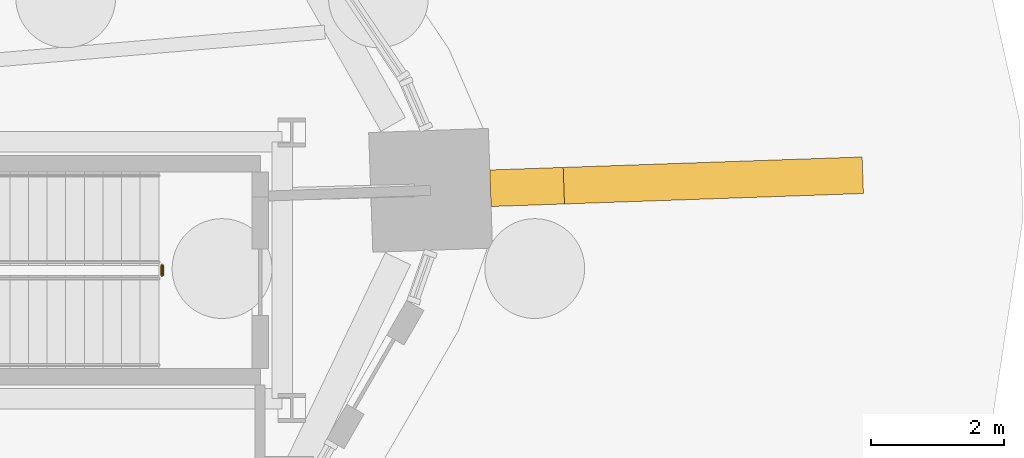
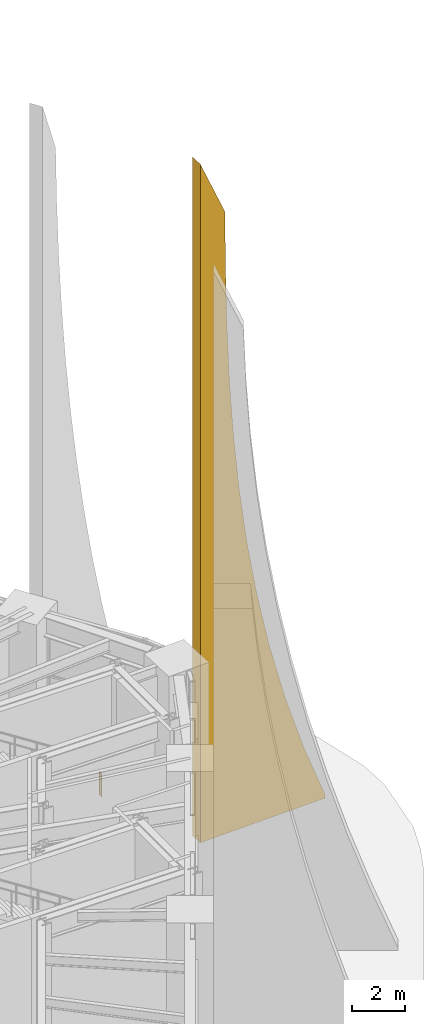
# One storey, part 41 of 43: 1 railing, 1 shading device.
"""IFC4 building model written with IfcOpenShell, lengths in metres."""

import ifcopenshell
import ifcopenshell.guid

model = None  # the IFC model being written
_history = None  # IfcOwnerHistory: only IFC2X3 demands one
_inside = {}  # id of a spatial element -> (the spatial element, [elements in it])
_under = {}  # id of a project, library or spatial element -> (it, [spatial elements below it])
_declared = {}  # id of a project -> (the project, [libraries it declares])
_typed = {}  # id of a type object -> (the type object, [elements of that type])
_made_of = {}  # id of a material, layer set ... -> (it, [elements and type objects made of it])


def new_model(schema):
    """Start an empty IFC model of exactly this schema.

    Asked for "IFC4X3", IfcOpenShell would pick the latest addendum, in which some entities
    have other attributes; the version numbers below select the first issue.
    IFC2X3 requires an IfcOwnerHistory on every rooted entity: one is made here for all.
    """
    global model, _history
    if schema == "IFC4X3":
        model = ifcopenshell.file(schema_version=(4, 3, 0, 0))
    else:
        model = ifcopenshell.file(schema=schema)
    _inside.clear()
    _under.clear()
    _declared.clear()
    _typed.clear()
    _made_of.clear()
    _history = None
    if model.schema == "IFC2X3":
        org = make("IfcOrganization", Name="unknown")
        user = make(
            "IfcPersonAndOrganization",
            ThePerson=make("IfcPerson", FamilyName="unknown"),
            TheOrganization=org,
        )
        app = make(
            "IfcApplication",
            ApplicationDeveloper=org,
            Version="unknown",
            ApplicationFullName="unknown",
            ApplicationIdentifier="unknown",
        )
        _history = make(
            "IfcOwnerHistory",
            OwningUser=user,
            OwningApplication=app,
            ChangeAction="ADDED",
            CreationDate=0,
        )
    return model


def make(cls, **values):
    """One entity of the class cls with the attributes given. An attribute that is None is left unset."""
    return model.create_entity(
        cls, **{name: value for name, value in values.items() if value is not None}
    )


def rooted(cls, **values):
    """An entity with a GlobalId (a new one), such as an element, a storey or a relation."""
    return make(cls, GlobalId=ifcopenshell.guid.new(), OwnerHistory=_history, **values)


def si_unit(unit_type, name, prefix=None):
    """IfcSIUnit, for example si_unit("LENGTHUNIT", "METRE", prefix="MILLI")."""
    return make("IfcSIUnit", UnitType=unit_type, Prefix=prefix, Name=name)


def assignment(units):
    """IfcUnitAssignment: the units of a project."""
    return None if units is None else make("IfcUnitAssignment", Units=units)


def point(xyz):
    """IfcCartesianPoint."""
    return None if xyz is None else make("IfcCartesianPoint", Coordinates=xyz)


def direction(xyz):
    """IfcDirection."""
    return None if xyz is None else make("IfcDirection", DirectionRatios=xyz)


def frame(location, z_axis=None, x_axis=None):
    """IfcAxis2Placement3D, a coordinate frame: its origin and axes. An axis left out is left unset."""
    return make(
        "IfcAxis2Placement3D",
        Location=point(location),
        Axis=direction(z_axis),
        RefDirection=direction(x_axis),
    )


def frame_2d(location, x_axis=None):
    """IfcAxis2Placement2D, a coordinate frame in the plane: its origin and x axis."""
    return make(
        "IfcAxis2Placement2D", Location=point(location), RefDirection=direction(x_axis)
    )


def origin():
    """The frame at (0, 0, 0) with its axes left unset."""
    return frame((0.0, 0.0, 0.0))


def origin_2d():
    """The frame at (0, 0) in the plane with its x axis left unset."""
    return frame_2d((0.0, 0.0))


def place(relative_to, where):
    """IfcLocalPlacement: puts the frame where relative to a parent placement (None: the world)."""
    return make(
        "IfcLocalPlacement", PlacementRelTo=relative_to, RelativePlacement=where
    )


def context(
    kind, dimensions, precision=None, world=None, true_north=None, identifier=None
):
    """IfcGeometricRepresentationContext, for example the 3D "Model" context."""
    return make(
        "IfcGeometricRepresentationContext",
        ContextIdentifier=identifier,
        ContextType=kind,
        CoordinateSpaceDimension=dimensions,
        Precision=precision,
        WorldCoordinateSystem=world,
        TrueNorth=true_north,
    )


def subcontext(parent, identifier, kind, view, scale=None):
    """IfcGeometricRepresentationSubContext, for example "Body" below "Model"."""
    return make(
        "IfcGeometricRepresentationSubContext",
        ContextIdentifier=identifier,
        ContextType=kind,
        ParentContext=parent,
        TargetScale=scale,
        TargetView=view,
    )


def project(units=None, contexts=None):
    """IfcProject with its units and contexts."""
    return rooted(
        "IfcProject",
        Name="project",
        RepresentationContexts=contexts,
        UnitsInContext=assignment(units),
    )


def spatial(cls, under=None, at=None, **own):
    """A site, building, storey or space (cls), placed at a placement, below another one or the project."""
    s = rooted(cls, ObjectPlacement=at, **own)
    if under is not None:
        _under.setdefault(under.id(), (under, []))[1].append(s)
    return s


def polyline(points):
    """IfcPolyline through the points."""
    return make("IfcPolyline", Points=[point(p) for p in points])


def profile(cls, at=None, kind="AREA", **sizes):
    """A parametric profile (cls). Its sizes go by their IFC names, for example OverallWidth=200.0."""
    return make(cls, ProfileType=kind, Position=at, **sizes)


def circle(**sizes):
    """IfcCircleProfileDef."""
    return profile("IfcCircleProfileDef", **sizes)


def outline(outer, holes=None, kind="AREA"):
    """IfcArbitraryClosedProfileDef: a profile drawn as a closed curve; with holes, ...WithVoids."""
    if holes is None:
        return make("IfcArbitraryClosedProfileDef", ProfileType=kind, OuterCurve=outer)
    return make(
        "IfcArbitraryProfileDefWithVoids",
        ProfileType=kind,
        OuterCurve=outer,
        InnerCurves=holes,
    )


def extrude(swept, where, along, depth):
    """IfcExtrudedAreaSolid: the profile swept, set in the frame where, extruded along a direction by depth."""
    return make(
        "IfcExtrudedAreaSolid",
        SweptArea=swept,
        Position=where,
        ExtrudedDirection=direction(along),
        Depth=depth,
    )


def shape(context_of_items, identifier, shape_type, items):
    """IfcShapeRepresentation: the items that make up one representation, for example the "Body"."""
    return make(
        "IfcShapeRepresentation",
        ContextOfItems=context_of_items,
        RepresentationIdentifier=identifier,
        RepresentationType=shape_type,
        Items=items,
    )


def material(Name=None, Category=None):
    """IfcMaterial."""
    return make("IfcMaterial", Name=Name, Category=Category)


def layer(
    of_material, thickness, ventilated=None, Name=None, Category=None, Priority=None
):
    """IfcMaterialLayer: one layer of a wall or slab, of a material (None: an air gap)."""
    return make(
        "IfcMaterialLayer",
        Material=of_material,
        LayerThickness=thickness,
        IsVentilated=ventilated,
        Name=Name,
        Category=Category,
        Priority=Priority,
    )


def layer_set(layers, Name=None):
    """IfcMaterialLayerSet."""
    return make("IfcMaterialLayerSet", MaterialLayers=layers, LayerSetName=Name)


def made_of(thing, what):
    """Note that an element or type object is made of a material, layer set ...; save() writes the relation."""
    if what is not None:
        _made_of.setdefault(what.id(), (what, []))[1].append(thing)
    return thing


def type_object(cls, material=None, **own):
    """A type object (cls), such as IfcWallType, which elements share."""
    return made_of(rooted(cls, **own), material)


def element(
    cls,
    number,
    at=None,
    inside=None,
    cuts=None,
    type_object=None,
    material=None,
    context=None,
    identifier="Body",
    shape_type=None,
    held_by="IfcProductDefinitionShape",
    body=None,
    shapes=None,
    **own,
):
    """One element of the class cls, such as IfcWall. Its Tag is "e" and its number.

    at: its placement. inside: the storey or other place that contains it. cuts: it is an
    opening in that element (IfcRelVoidsElement). A single representation is given by context,
    identifier, shape_type and body (its items); several are given by shapes. held_by: the class
    of the entity that holds the representations. save() writes the other relations.
    """
    e = rooted(cls, Tag="e%d" % number, ObjectPlacement=at, **own)
    if body is not None:
        shapes = [shape(context, identifier, shape_type, body)]
    if shapes is not None:
        e.Representation = make(held_by, Representations=shapes)
    if inside is not None:
        _inside.setdefault(inside.id(), (inside, []))[1].append(e)
    if cuts is not None:
        rooted(
            "IfcRelVoidsElement", RelatingBuildingElement=cuts, RelatedOpeningElement=e
        )
    if type_object is not None:
        _typed.setdefault(type_object.id(), (type_object, []))[1].append(e)
    return made_of(e, material)


def aggregate(whole, parts):
    """IfcRelAggregates: a whole, such as a stair, and the parts it consists of."""
    return rooted("IfcRelAggregates", RelatingObject=whole, RelatedObjects=parts)


def save(model, path):
    """Write the relations noted so far, then the file.

    IfcRelAggregates (storeys below a building ...), IfcRelContainedInSpatialStructure (elements
    in a storey), IfcRelDefinesByType, IfcRelAssociatesMaterial and IfcRelDeclares: one each for
    every whole, place, type object, material and project.
    """
    for whole, parts in _under.values():
        aggregate(whole, parts)
    for where, things in _inside.values():
        rooted(
            "IfcRelContainedInSpatialStructure",
            RelatedElements=things,
            RelatingStructure=where,
        )
    for kind, things in _typed.values():
        rooted("IfcRelDefinesByType", RelatedObjects=things, RelatingType=kind)
    for what, things in _made_of.values():
        rooted("IfcRelAssociatesMaterial", RelatedObjects=things, RelatingMaterial=what)
    for by, libraries in _declared.values():
        rooted("IfcRelDeclares", RelatingContext=by, RelatedDefinitions=libraries)
    model.write(path)


model = new_model("IFC4")

# Units and contexts
model_context = context("Model", 3, precision=1e-05, world=origin(), true_north=direction((0.0, 1.0)))
body_context = subcontext(model_context, "Body", "Model", "MODEL_VIEW")
ifc_project = project(units=[si_unit("LENGTHUNIT", "METRE"), si_unit("AREAUNIT", "SQUARE_METRE"), si_unit("VOLUMEUNIT", "CUBIC_METRE"), si_unit("PLANEANGLEUNIT", "RADIAN"), si_unit("MASSUNIT", "GRAM", prefix="KILO")], contexts=[model_context])

# Site, building, storey
site_placement = place(None, origin())
site = spatial("IfcSite", under=ifc_project, at=site_placement, CompositionType="ELEMENT")
building_placement = place(site_placement, origin())
building = spatial("IfcBuilding", under=site, at=building_placement, Name="Tarnside Tower", CompositionType="ELEMENT")
storey_placement = place(building_placement, origin())
storey = spatial("IfcBuildingStorey", under=building, at=storey_placement, Name="L00", CompositionType="ELEMENT", Elevation=0.0)

# Shading device
ifc_material_1 = material(Name="Concrete C50/60 white precast", Category="concrete")
ifc_layer = layer(ifc_material_1, 0.550048828125)
ifc_layer_set = layer_set([ifc_layer], Name="Flared precast fin root 5600")
shading_device_type = type_object("IfcShadingDeviceType", Name="Flared precast fin root 5600", PredefinedType="USERDEFINED", material=ifc_layer_set)
shading_device_placement = place(storey_placement, frame((34.583984375, 1.207763671875, 0.0), z_axis=(0.034899496703, -0.999390827019, 0.0), x_axis=(0.999390827019, 0.034899496703, 0.0)))
element("IfcShadingDevice", 1, at=shading_device_placement, inside=storey, type_object=shading_device_type, Name="Flared fin root M20", ObjectType="FIN", PredefinedType="USERDEFINED", context=body_context, shape_type="SweptSolid", body=[
    extrude(outline(polyline([(0.0, 0.0), (5.60009765625, 0.0), (5.60009765625, 0.14990234375), (4.62255859375, 2.762451171875), (3.793701171875, 5.375), (3.102294921875, 7.987548828125), (2.537353515625, 10.60009765625), (2.0869140625, 13.21240234375), (1.739501953125, 15.824951171875), (1.48291015625, 18.4375), (1.30419921875, 21.050048828125), (1.19091796875, 23.66259765625), (1.12890625, 26.27490234375), (1.10400390625, 28.887451171875), (0.0, 31.5), (0.0, 0.0)])), frame((0.0, 0.0, -0.27490234375)), (0.0, 0.0, 1.0), 0.550048828125),
])

# Railing
ifc_material_2 = material(Name="Stainless steel", Category="steel")
railing_type = type_object("IfcRailingType", Name="Podium stair guard 1100", PredefinedType="GUARDRAIL", material=ifc_material_2)
railing_placement = place(storey_placement, frame((29.64990234375, -0.10009765625, 4.5)))
element("IfcRailing", 2, at=railing_placement, inside=storey, type_object=railing_type, Name="L00 PS3 stair guard 2", PredefinedType="GUARDRAIL", context=body_context, shape_type="SweptSolid", body=[
    extrude(circle(Radius=0.02392578125, at=origin_2d()), frame((0.0, 0.0, 1.076171875), z_axis=(0.0, 1.0, 0.0), x_axis=(-1.0, 0.0, 0.0)), (0.0, 0.0, 1.0), 0.150146484375),
    extrude(circle(Radius=0.02099609375, at=origin_2d()), origin(), (0.0, 0.0, 1.0), 1.052001953125),
    extrude(circle(Radius=0.02099609375, at=origin_2d()), frame((0.0, 0.150146484375, 0.0)), (0.0, 0.0, 1.0), 1.052001953125),
])

save(model, "model.ifc")
